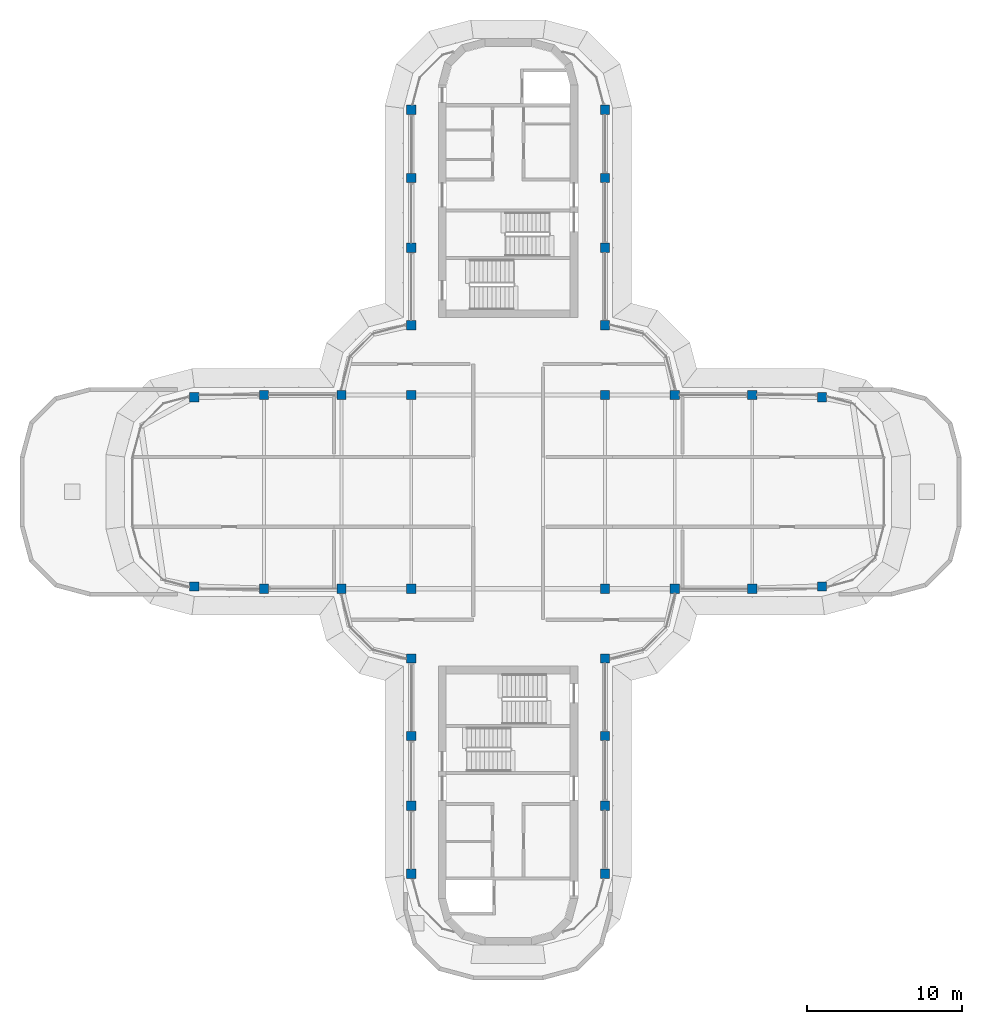
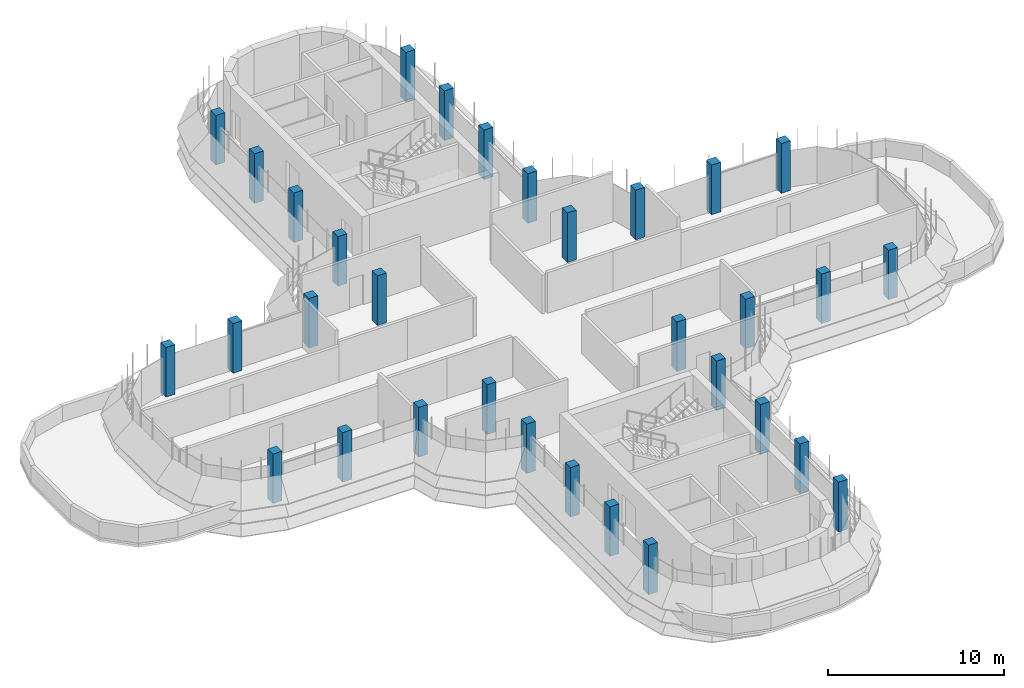
# One storey, part 1 of 20: 32 columns.
"""IFC4 building model written with IfcOpenShell, lengths in metres."""

from ifc_helpers import new_model, si_unit, direction, frame, origin, origin_2d, place, context, subcontext, project, spatial, rectangle, extrude, material, material_profile, profile_set, type_object, element, save


model = new_model("IFC4")

# Units and contexts
model_context = context("Model", 3, precision=1e-05, world=origin(), true_north=direction((0.0, 1.0)))
body_context = subcontext(model_context, "Body", "Model", "MODEL_VIEW")
ifc_project = project(units=[si_unit("LENGTHUNIT", "METRE"), si_unit("AREAUNIT", "SQUARE_METRE"), si_unit("VOLUMEUNIT", "CUBIC_METRE"), si_unit("PLANEANGLEUNIT", "RADIAN"), si_unit("MASSUNIT", "GRAM", prefix="KILO")], contexts=[model_context])

# Site, building, storey
site_placement = place(None, origin())
site = spatial("IfcSite", under=ifc_project, at=site_placement, CompositionType="ELEMENT")
building_placement = place(site_placement, origin())
building = spatial("IfcBuilding", under=site, at=building_placement, Name="Zarbagh Exchange Tower", CompositionType="ELEMENT")
storey_placement = place(building_placement, frame((0.0, 0.0, 291.60009765625)))
storey = spatial("IfcBuildingStorey", under=building, at=storey_placement, Name="L71", CompositionType="ELEMENT", Elevation=291.60009765625)

# Columns
ifc_material = material(Name="Concrete C40/50", Category="concrete")
ifc_material_profile = material_profile(ifc_material, rectangle(XDim=0.60009765625, YDim=0.60009765625, at=origin_2d()), Name="RC column 600 x 600 C40/50")
ifc_profile_set = profile_set([ifc_material_profile], Name="Concrete C40/50")
column_type = type_object("IfcColumnType", Name="RC column 600 x 600 C40/50", PredefinedType="COLUMN", material=ifc_profile_set)
for number, where, z_axis, x_axis, name in (
    (1, (-20.25, -6.110107421875, 0.0), (0.0, 0.0, 1.0), (1.0, 0.0, 0.0), "C6 13/R"),
    (2, (-20.25, 6.110107421875, 0.0), (0.0, 0.0, 1.0), (1.0, 0.0, 0.0), "C6 13/U"),
    (3, (-15.75, -6.25, 0.0), (0.0, 0.0, 1.0), (1.0, 0.0, 0.0), "C6 14/R"),
    (4, (-15.75, 6.25, 0.0), (0.0, 0.0, 1.0), (1.0, 0.0, 0.0), "C6 14/U"),
    (5, (-10.75, -6.25, 0.0), (0.0, 0.0, 1.0), (1.0, 0.0, 0.0), "C6 15/R"),
    (6, (-10.75, 6.25, 0.0), (0.0, 0.0, 1.0), (1.0, 0.0, 0.0), "C6 15/U"),
    (7, (-6.25, -24.64990234375, 0.0), (0.0, 0.0, 1.0), (1.0, 0.0, 0.0), "C6 16/M"),
    (8, (-6.25, -20.25, 0.0), (0.0, 0.0, 1.0), (1.0, 0.0, 0.0), "C6 16/N"),
    (9, (-6.25, -15.75, 0.0), (0.0, 0.0, 1.0), (1.0, 0.0, 0.0), "C6 16/P"),
    (10, (-6.25, -10.75, 0.0), (0.0, 0.0, 1.0), (1.0, 0.0, 0.0), "C6 16/Q"),
    (11, (-6.25, -6.25, 0.0), (0.0, 0.0, 1.0), (1.0, 0.0, 0.0), "C6 16/R"),
    (12, (-6.25, 6.25, 0.0), (0.0, 0.0, 1.0), (1.0, 0.0, 0.0), "C6 16/U"),
    (13, (-6.25, 10.75, 0.0), (0.0, 0.0, 1.0), (1.0, 0.0, 0.0), "C6 16/V"),
    (14, (-6.25, 15.75, 0.0), (0.0, 0.0, 1.0), (1.0, 0.0, 0.0), "C6 16/W"),
    (15, (-6.25, 20.25, 0.0), (0.0, 0.0, 1.0), (1.0, 0.0, 0.0), "C6 16/X"),
    (16, (-6.25, 24.64990234375, 0.0), (0.0, 0.0, 1.0), (1.0, 0.0, 0.0), "C6 16/Y"),
    (17, (6.25, -24.64990234375, 0.0), (0.0, 0.0, 1.0), (1.0, 0.0, 0.0), "C6 19/M"),
    (18, (6.25, -20.25, 0.0), (0.0, 0.0, 1.0), (1.0, 0.0, 0.0), "C6 19/N"),
    (19, (6.25, -15.75, 0.0), (0.0, 0.0, 1.0), (1.0, 0.0, 0.0), "C6 19/P"),
    (20, (6.25, -10.75, 0.0), (0.0, 0.0, 1.0), (1.0, 0.0, 0.0), "C6 19/Q"),
    (21, (6.25, -6.25, 0.0), (0.0, 0.0, 1.0), (1.0, 0.0, 0.0), "C6 19/R"),
    (22, (6.25, 6.25, 0.0), (0.0, 0.0, 1.0), (1.0, 0.0, 0.0), "C6 19/U"),
    (23, (6.25, 10.75, 0.0), (0.0, 0.0, 1.0), (1.0, 0.0, 0.0), "C6 19/V"),
    (24, (6.25, 15.75, 0.0), (0.0, 0.0, 1.0), (1.0, 0.0, 0.0), "C6 19/W"),
    (25, (6.25, 20.25, 0.0), (0.0, 0.0, 1.0), (1.0, 0.0, 0.0), "C6 19/X"),
    (26, (6.25, 24.64990234375, 0.0), (0.0, 0.0, 1.0), (1.0, 0.0, 0.0), "C6 19/Y"),
    (27, (10.75, -6.25, 0.0), (0.0, 0.0, 1.0), (1.0, 0.0, 0.0), "C6 20/R"),
    (28, (10.75, 6.25, 0.0), (0.0, 0.0, 1.0), (1.0, 0.0, 0.0), "C6 20/U"),
    (29, (15.75, -6.25, 0.0), (0.0, 0.0, 1.0), (1.0, 0.0, 0.0), "C6 21/R"),
    (30, (15.75, 6.25, 0.0), (0.0, 0.0, 1.0), (1.0, 0.0, 0.0), "C6 21/U"),
    (31, (20.25, -6.110107421875, 0.0), (0.0, 0.0, 1.0), (1.0, 0.0, 0.0), "C6 22/R"),
    (32, (20.25, 6.110107421875, 0.0), (0.0, 0.0, 1.0), (1.0, 0.0, 0.0), "C6 22/U"),
):
    element("IfcColumn", number, at=place(storey_placement, frame(where, z_axis=z_axis, x_axis=x_axis)), inside=storey, type_object=column_type, Name=name, PredefinedType="COLUMN", context=body_context, shape_type="SweptSolid", body=[
        extrude(rectangle(XDim=0.60009765625, YDim=0.60009765625, at=origin_2d()), origin(), (0.0, 0.0, 1.0), 3.449951171875),
    ])

save(model, "model.ifc")
